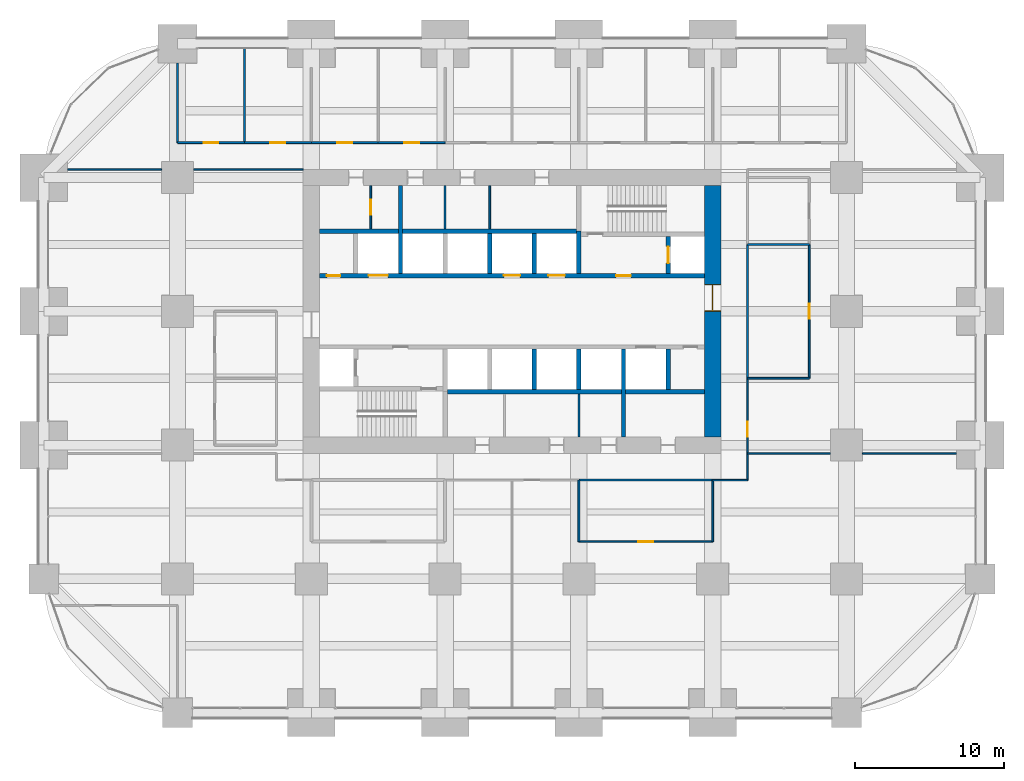
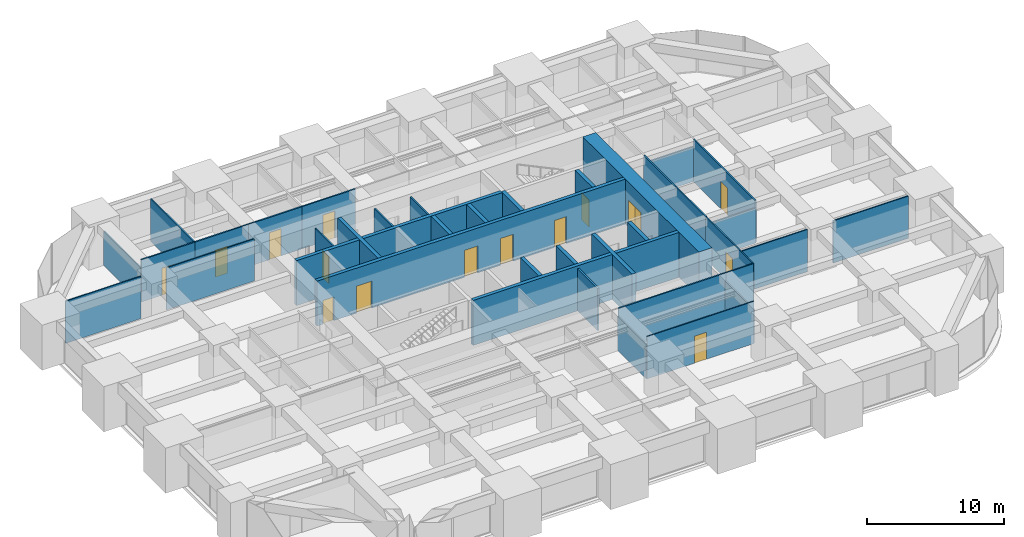
# One storey, part 38 of 41: 37 walls, 15 doors, 15 openings.
"""IFC4 building model written with IfcOpenShell, lengths in metres."""

from ifc_helpers import new_model, si_unit, direction, frame, frame_2d, origin, place, context, subcontext, project, spatial, rectangle, extrude, material, layer, layer_set, type_object, element, fill, save


model = new_model("IFC4")

# Units and contexts
model_context = context("Model", 3, precision=1e-05, world=origin(), true_north=direction((0.0, 1.0)))
body_context = subcontext(model_context, "Body", "Model", "MODEL_VIEW")
ifc_project = project(units=[si_unit("LENGTHUNIT", "METRE"), si_unit("AREAUNIT", "SQUARE_METRE"), si_unit("VOLUMEUNIT", "CUBIC_METRE"), si_unit("PLANEANGLEUNIT", "RADIAN"), si_unit("MASSUNIT", "GRAM", prefix="KILO")], contexts=[model_context])

# Site, building, storey
site_placement = place(None, origin())
site = spatial("IfcSite", under=ifc_project, at=site_placement, CompositionType="ELEMENT")
building_placement = place(site_placement, origin())
building = spatial("IfcBuilding", under=site, at=building_placement, Name="Zorevar Civic Tower", CompositionType="ELEMENT")
storey_placement = place(building_placement, frame((0.0, 0.0, 89.0)))
storey = spatial("IfcBuildingStorey", under=building, at=storey_placement, Name="L21", CompositionType="ELEMENT", Elevation=89.0)

# Wall, opening, door
ifc_material_1 = material(Name="Concrete C50/60", Category="concrete")
ifc_layer_1 = layer(ifc_material_1, 1.10009765625)
ifc_layer_set_1 = layer_set([ifc_layer_1], Name="Core wall 1100")
wall_type_1 = type_object("IfcWallType", Name="Core wall 1100", PredefinedType="SHEAR", material=ifc_layer_set_1)
wall_1_placement = place(storey_placement, frame((45.0, 18.550048828125, 0.0), z_axis=(0.0, 0.0, 1.0), x_axis=(0.0, 1.0, 0.0)))
wall_1 = element("IfcWall", 1, at=wall_1_placement, inside=storey, type_object=wall_type_1, Name="Core wall E L21", PredefinedType="SHEAR", context=body_context, shape_type="SweptSolid", body=[
    extrude(rectangle(XDim=16.89990234375, YDim=1.10009765625, at=frame_2d((8.449951171875, 0.0))), origin(), (0.0, 0.0, 1.0), 4.0),
])
opening_1_placement = place(wall_1_placement, frame((8.449951171875, 0.0, 0.0)))
opening_1 = element("IfcOpeningElement", 2, at=opening_1_placement, cuts=wall_1, Name="Opening L21.02", PredefinedType="OPENING", context=body_context, shape_type="SweptSolid", body=[
    extrude(rectangle(XDim=1.800048828125, YDim=2.39990234375, at=frame_2d((0.89990234375, 1.199951171875))), frame((0.0, 0.56005859375, 0.0), z_axis=(0.0, -1.0, 0.0), x_axis=(1.0, 0.0, 0.0)), (0.0, 0.0, 1.0), 1.1201171875),
])
ifc_material_2 = material(Name="Steel door set", Category="steel")
door_type_1 = type_object("IfcDoorType", Name="Fire door FD2 1800x2400", OperationType="DOUBLE_DOOR_DOUBLE_SWING", PredefinedType="DOOR", material=ifc_material_2)
door_1_placement = place(opening_1_placement, origin())
door_1 = element("IfcDoor", 3, at=door_1_placement, inside=storey, type_object=door_type_1, Name="Door L21 01", OperationType="DOUBLE_DOOR_DOUBLE_SWING", OverallHeight=2.39990234375, OverallWidth=1.800048828125, PredefinedType="DOOR", context=body_context, shape_type="SweptSolid", body=[
    extrude(rectangle(XDim=1.800048828125, YDim=2.39990234375, at=frame_2d((0.89990234375, 1.199951171875))), frame((0.0, 0.030029296875, 0.0), z_axis=(0.0, -1.0, 0.0), x_axis=(1.0, 0.0, 0.0)), (0.0, 0.0, 1.0), 0.06005859375),
    extrude(rectangle(XDim=0.04, YDim=2.39990234375, at=frame_2d((0.02001953125, 1.199951171875))), frame((0.0, 0.5498046875, 0.0), z_axis=(0.0, -1.0, 0.0), x_axis=(1.0, 0.0, 0.0)), (0.0, 0.0, 1.0), 1.099609375),
    extrude(rectangle(XDim=0.04, YDim=2.39990234375, at=frame_2d((1.780029296875, 1.199951171875))), frame((0.0, 0.5498046875, 0.0), z_axis=(0.0, -1.0, 0.0), x_axis=(1.0, 0.0, 0.0)), (0.0, 0.0, 1.0), 1.099609375),
    extrude(rectangle(XDim=1.800048828125, YDim=0.04, at=frame_2d((0.89990234375, 2.3798828125))), frame((0.0, 0.5498046875, 0.0), z_axis=(0.0, -1.0, 0.0), x_axis=(1.0, 0.0, 0.0)), (0.0, 0.0, 1.0), 1.099609375),
])
fill(opening_1, door_1)

ifc_material_3 = material(Name="Laminated glass in black aluminium frame", Category="aluminium")
ifc_layer_2 = layer(ifc_material_3, 0.10009765625)
ifc_layer_set_2 = layer_set([ifc_layer_2], Name="Glazed partition 100")
wall_type_2 = type_object("IfcWallType", Name="Glazed partition 100", PredefinedType="PARTITIONING", material=ifc_layer_set_2)
wall_2_placement = place(storey_placement, frame((36.0, 11.5, 0.0), z_axis=(0.0, 0.0, 1.0), x_axis=(1.0, 0.0, 0.0)))
wall_2 = element("IfcWall", 4, at=wall_2_placement, inside=storey, type_object=wall_type_2, Name="Glazed partition 100 L21", PredefinedType="PARTITIONING", context=body_context, shape_type="SweptSolid", body=[
    extrude(rectangle(XDim=9.0, YDim=0.10009765625, at=frame_2d((4.5, 0.0))), origin(), (0.0, 0.0, 1.0), 3.75),
])
opening_2_placement = place(wall_2_placement, frame((4.0, 0.0, 0.0)))
opening_2 = element("IfcOpeningElement", 5, at=opening_2_placement, cuts=wall_2, Name="Opening L21.19", PredefinedType="OPENING", context=body_context, shape_type="SweptSolid", body=[
    extrude(rectangle(XDim=1.0, YDim=2.39990234375, at=frame_2d((0.5, 1.199951171875))), frame((0.0, 0.06005859375, 0.0), z_axis=(0.0, -1.0, 0.0), x_axis=(1.0, 0.0, 0.0)), (0.0, 0.0, 1.0), 0.1201171875),
])
ifc_material_4 = material(Name="Timber door set", Category="wood")
door_type_2 = type_object("IfcDoorType", Name="Glazed door GD1 1000x2400", OperationType="SINGLE_SWING_LEFT", PredefinedType="DOOR", material=ifc_material_4)
door_2_placement = place(opening_2_placement, origin())
door_2 = element("IfcDoor", 6, at=door_2_placement, inside=storey, type_object=door_type_2, Name="Door L21 D1", OperationType="SINGLE_SWING_LEFT", OverallHeight=2.39990234375, OverallWidth=1.0, PredefinedType="DOOR", context=body_context, shape_type="SweptSolid", body=[
    extrude(rectangle(XDim=1.0, YDim=2.39990234375, at=frame_2d((0.5, 1.199951171875))), frame((0.0, 0.02001953125, 0.0), z_axis=(0.0, -1.0, 0.0), x_axis=(1.0, 0.0, 0.0)), (0.0, 0.0, 1.0), 0.0400390625),
])
fill(opening_2, door_2)

# Walls
wall_3_placement = place(storey_placement, frame((45.0, 15.64990234375, 0.0), z_axis=(0.0, 0.0, 1.0), x_axis=(1.0, 0.0, 0.0)))
element("IfcWall", 7, at=wall_3_placement, inside=storey, type_object=wall_type_2, Name="Glazed partition 100 L21", PredefinedType="PARTITIONING", context=body_context, shape_type="SweptSolid", body=[
    extrude(rectangle(XDim=2.35009765625, YDim=0.10009765625, at=frame_2d((1.175048828125, 0.0))), origin(), (0.0, 0.0, 1.0), 3.75),
])
wall_4_placement = place(storey_placement, frame((47.35009765625, 17.449951171875, 0.0), z_axis=(0.0, 0.0, 1.0), x_axis=(1.0, 0.0, 0.0)))
element("IfcWall", 8, at=wall_4_placement, inside=storey, type_object=wall_type_2, Name="Glazed partition 100 L21", PredefinedType="PARTITIONING", context=body_context, shape_type="SweptSolid", body=[
    extrude(rectangle(XDim=5.574951171875, YDim=0.10009765625, at=frame_2d((2.78759765625, 0.0))), origin(), (0.0, 0.0, 1.0), 3.75),
])
for number, where, z_axis, x_axis, name in (
    (9, (55.074951171875, 17.449951171875, 0.0), (0.0, 0.0, 1.0), (1.0, 0.0, 0.0), "Glazed partition 100 L21"),
    (10, (1.60009765625, 36.550048828125, 0.0), (0.0, 0.0, 1.0), (1.0, 0.0, 0.0), "Glazed partition 100 L21"),
):
    element("IfcWall", number, at=place(storey_placement, frame(where, z_axis=z_axis, x_axis=x_axis)), inside=storey, type_object=wall_type_2, Name=name, PredefinedType="PARTITIONING", context=body_context, shape_type="SweptSolid", body=[
        extrude(rectangle(XDim=6.324951171875, YDim=0.10009765625, at=frame_2d((3.16259765625, 0.0))), origin(), (0.0, 0.0, 1.0), 3.75),
    ])
wall_5_placement = place(storey_placement, frame((10.074951171875, 36.550048828125, 0.0), z_axis=(0.0, 0.0, 1.0), x_axis=(1.0, 0.0, 0.0)))
element("IfcWall", 11, at=wall_5_placement, inside=storey, type_object=wall_type_2, Name="Glazed partition 100 L21", PredefinedType="PARTITIONING", context=body_context, shape_type="SweptSolid", body=[
    extrude(rectangle(XDim=7.375, YDim=0.10009765625, at=frame_2d((3.6875, 0.0))), origin(), (0.0, 0.0, 1.0), 3.75),
])

# Wall, opening, door
wall_6_placement = place(storey_placement, frame((47.35009765625, 15.64990234375, 0.0), z_axis=(0.0, 0.0, 1.0), x_axis=(0.0, 1.0, 0.0)))
wall_6 = element("IfcWall", 12, at=wall_6_placement, inside=storey, type_object=wall_type_2, Name="Glazed partition 100 L21", PredefinedType="PARTITIONING", context=body_context, shape_type="SweptSolid", body=[
    extrude(rectangle(XDim=6.85009765625, YDim=0.10009765625, at=frame_2d((3.425048828125, 0.0))), origin(), (0.0, 0.0, 1.0), 3.75),
])
opening_3_placement = place(wall_6_placement, frame((2.925048828125, 0.0, 0.0)))
opening_3 = element("IfcOpeningElement", 13, at=opening_3_placement, cuts=wall_6, Name="Opening L21.34", PredefinedType="OPENING", context=body_context, shape_type="SweptSolid", body=[
    extrude(rectangle(XDim=1.0, YDim=2.39990234375, at=frame_2d((0.5, 1.199951171875))), frame((0.0, 0.06005859375, 0.0), z_axis=(0.0, -1.0, 0.0), x_axis=(1.0, 0.0, 0.0)), (0.0, 0.0, 1.0), 0.1201171875),
])
door_3_placement = place(opening_3_placement, origin())
door_3 = element("IfcDoor", 14, at=door_3_placement, inside=storey, type_object=door_type_2, Name="Door L21 D1", OperationType="SINGLE_SWING_LEFT", OverallHeight=2.39990234375, OverallWidth=1.0, PredefinedType="DOOR", context=body_context, shape_type="SweptSolid", body=[
    extrude(rectangle(XDim=1.0, YDim=2.39990234375, at=frame_2d((0.5, 1.199951171875))), frame((0.0, 0.02001953125, 0.0), z_axis=(0.0, -1.0, 0.0), x_axis=(1.0, 0.0, 0.0)), (0.0, 0.0, 1.0), 0.0400390625),
])
fill(opening_3, door_3)

ifc_material_5 = material(Name="Concrete C40/50", Category="concrete")
ifc_layer_3 = layer(ifc_material_5, 0.300048828125)
ifc_layer_set_3 = layer_set([ifc_layer_3], Name="Inner core wall 300")
wall_type_3 = type_object("IfcWallType", Name="Inner core wall 300", PredefinedType="SHEAR", material=ifc_layer_set_3)
wall_7_placement = place(storey_placement, frame((42.0, 29.550048828125, 0.0), z_axis=(0.0, 0.0, 1.0), x_axis=(0.0, 1.0, 0.0)))
wall_7 = element("IfcWall", 15, at=wall_7_placement, inside=storey, type_object=wall_type_3, Name="Inner core wall N02 L21", PredefinedType="SHEAR", context=body_context, shape_type="SweptSolid", body=[
    extrude(rectangle(XDim=2.5, YDim=0.300048828125, at=frame_2d((1.25, 0.0))), origin(), (0.0, 0.0, 1.0), 4.0),
])
opening_4_placement = place(wall_7_placement, frame((0.699951171875, 0.0, 0.0)))
opening_4 = element("IfcOpeningElement", 16, at=opening_4_placement, cuts=wall_7, Name="Opening L21.FL2", PredefinedType="OPENING", context=body_context, shape_type="SweptSolid", body=[
    extrude(rectangle(XDim=1.10009765625, YDim=2.39990234375, at=frame_2d((0.550048828125, 1.199951171875))), frame((0.0, 0.159912109375, 0.0), z_axis=(0.0, -1.0, 0.0), x_axis=(1.0, 0.0, 0.0)), (0.0, 0.0, 1.0), 0.320068359375),
])
ifc_material_6 = material(Name="Steel door set", Category="steel")
door_type_3 = type_object("IfcDoorType", Name="Firefighting lift landing door LD3 1100x2400", OperationType="DOUBLE_DOOR_SLIDING", PredefinedType="DOOR", material=ifc_material_6)
door_4_placement = place(opening_4_placement, origin())
door_4 = element("IfcDoor", 17, at=door_4_placement, inside=storey, type_object=door_type_3, Name="Landing door FL2 L21", OperationType="DOUBLE_DOOR_SLIDING", OverallHeight=2.39990234375, OverallWidth=1.10009765625, PredefinedType="DOOR", context=body_context, shape_type="SweptSolid", body=[
    extrude(rectangle(XDim=1.10009765625, YDim=2.39990234375, at=frame_2d((0.550048828125, 1.199951171875))), frame((0.0, 0.030029296875, 0.0), z_axis=(0.0, -1.0, 0.0), x_axis=(1.0, 0.0, 0.0)), (0.0, 0.0, 1.0), 0.06005859375),
])
fill(opening_4, door_4)

# Wall, openings, doors
wall_8_placement = place(storey_placement, frame((18.550048828125, 29.39990234375, 0.0), z_axis=(0.0, 0.0, 1.0), x_axis=(1.0, 0.0, 0.0)))
wall_8 = element("IfcWall", 18, at=wall_8_placement, inside=storey, type_object=wall_type_3, Name="Inner core wall N03 L21", PredefinedType="SHEAR", context=body_context, shape_type="SweptSolid", body=[
    extrude(rectangle(XDim=25.89990234375, YDim=0.300048828125, at=frame_2d((12.949951171875, 0.0))), origin(), (0.0, 0.0, 1.0), 4.0),
])
opening_5_placement = place(wall_8_placement, frame((19.949951171875, 0.0, 0.0)))
opening_5 = element("IfcOpeningElement", 19, at=opening_5_placement, cuts=wall_8, Name="Opening L21.14", PredefinedType="OPENING", context=body_context, shape_type="SweptSolid", body=[
    extrude(rectangle(XDim=1.0, YDim=2.39990234375, at=frame_2d((0.5, 1.199951171875))), frame((0.0, 0.159912109375, 0.0), z_axis=(0.0, -1.0, 0.0), x_axis=(1.0, 0.0, 0.0)), (0.0, 0.0, 1.0), 0.320068359375),
])
opening_6_placement = place(wall_8_placement, frame((0.5, 0.0, 0.0)))
opening_6 = element("IfcOpeningElement", 20, at=opening_6_placement, cuts=wall_8, Name="Opening L21.16", PredefinedType="OPENING", context=body_context, shape_type="SweptSolid", body=[
    extrude(rectangle(XDim=0.89990234375, YDim=2.10009765625, at=frame_2d((0.449951171875, 1.050048828125))), frame((0.0, 0.159912109375, 0.0), z_axis=(0.0, -1.0, 0.0), x_axis=(1.0, 0.0, 0.0)), (0.0, 0.0, 1.0), 0.320068359375),
])
opening_7_placement = place(wall_8_placement, frame((15.39990234375, 0.0, 0.0)))
opening_7 = element("IfcOpeningElement", 21, at=opening_7_placement, cuts=wall_8, Name="Opening L21.LM1", PredefinedType="OPENING", context=body_context, shape_type="SweptSolid", body=[
    extrude(rectangle(XDim=1.10009765625, YDim=2.39990234375, at=frame_2d((0.550048828125, 1.199951171875))), frame((0.0, 0.159912109375, 0.0), z_axis=(0.0, -1.0, 0.0), x_axis=(1.0, 0.0, 0.0)), (0.0, 0.0, 1.0), 0.320068359375),
])
opening_8_placement = place(wall_8_placement, frame((12.39990234375, 0.0, 0.0)))
opening_8 = element("IfcOpeningElement", 22, at=opening_8_placement, cuts=wall_8, Name="Opening L21.LM2", PredefinedType="OPENING", context=body_context, shape_type="SweptSolid", body=[
    extrude(rectangle(XDim=1.10009765625, YDim=2.39990234375, at=frame_2d((0.550048828125, 1.199951171875))), frame((0.0, 0.159912109375, 0.0), z_axis=(0.0, -1.0, 0.0), x_axis=(1.0, 0.0, 0.0)), (0.0, 0.0, 1.0), 0.320068359375),
])
opening_9_placement = place(wall_8_placement, frame((3.300048828125, 0.0, 0.0)))
opening_9 = element("IfcOpeningElement", 23, at=opening_9_placement, cuts=wall_8, Name="Opening L21.SL2", PredefinedType="OPENING", context=body_context, shape_type="SweptSolid", body=[
    extrude(rectangle(XDim=1.300048828125, YDim=2.39990234375, at=frame_2d((0.64990234375, 1.199951171875))), frame((0.0, 0.159912109375, 0.0), z_axis=(0.0, -1.0, 0.0), x_axis=(1.0, 0.0, 0.0)), (0.0, 0.0, 1.0), 0.320068359375),
])
ifc_material_7 = material(Name="Steel door set", Category="steel")
door_type_4 = type_object("IfcDoorType", Name="Fire door FD1 1000x2400", OperationType="SINGLE_SWING_LEFT", PredefinedType="DOOR", material=ifc_material_7)
door_5_placement = place(opening_5_placement, origin())
door_5 = element("IfcDoor", 24, at=door_5_placement, inside=storey, type_object=door_type_4, Name="Door L21 13", OperationType="SINGLE_SWING_RIGHT", OverallHeight=2.39990234375, OverallWidth=1.0, PredefinedType="DOOR", context=body_context, shape_type="SweptSolid", body=[
    extrude(rectangle(XDim=1.0, YDim=2.39990234375, at=frame_2d((0.5, 1.199951171875))), frame((0.0, 0.030029296875, 0.0), z_axis=(0.0, -1.0, 0.0), x_axis=(1.0, 0.0, 0.0)), (0.0, 0.0, 1.0), 0.06005859375),
])
fill(opening_5, door_5)
ifc_material_8 = material(Name="Steel door set", Category="steel")
door_type_5 = type_object("IfcDoorType", Name="Landing door LD1 1100x2400", OperationType="DOUBLE_DOOR_SLIDING", PredefinedType="DOOR", material=ifc_material_8)
door_6_placement = place(opening_7_placement, origin())
door_6 = element("IfcDoor", 25, at=door_6_placement, inside=storey, type_object=door_type_5, Name="Landing door LM1 L21", OperationType="DOUBLE_DOOR_SLIDING", OverallHeight=2.39990234375, OverallWidth=1.10009765625, PredefinedType="DOOR", context=body_context, shape_type="SweptSolid", body=[
    extrude(rectangle(XDim=1.10009765625, YDim=2.39990234375, at=frame_2d((0.550048828125, 1.199951171875))), frame((0.0, 0.02001953125, 0.0), z_axis=(0.0, -1.0, 0.0), x_axis=(1.0, 0.0, 0.0)), (0.0, 0.0, 1.0), 0.0400390625),
])
fill(opening_7, door_6)
door_7_placement = place(opening_8_placement, origin())
door_7 = element("IfcDoor", 26, at=door_7_placement, inside=storey, type_object=door_type_5, Name="Landing door LM2 L21", OperationType="DOUBLE_DOOR_SLIDING", OverallHeight=2.39990234375, OverallWidth=1.10009765625, PredefinedType="DOOR", context=body_context, shape_type="SweptSolid", body=[
    extrude(rectangle(XDim=1.10009765625, YDim=2.39990234375, at=frame_2d((0.550048828125, 1.199951171875))), frame((0.0, 0.02001953125, 0.0), z_axis=(0.0, -1.0, 0.0), x_axis=(1.0, 0.0, 0.0)), (0.0, 0.0, 1.0), 0.0400390625),
])
fill(opening_8, door_7)
ifc_material_9 = material(Name="Steel door set", Category="steel")
door_type_6 = type_object("IfcDoorType", Name="Landing door LD2 1300x2400", OperationType="DOUBLE_DOOR_SLIDING", PredefinedType="DOOR", material=ifc_material_9)
door_8_placement = place(opening_9_placement, origin())
door_8 = element("IfcDoor", 27, at=door_8_placement, inside=storey, type_object=door_type_6, Name="Landing door SL2 L21", OperationType="DOUBLE_DOOR_SLIDING", OverallHeight=2.39990234375, OverallWidth=1.300048828125, PredefinedType="DOOR", context=body_context, shape_type="SweptSolid", body=[
    extrude(rectangle(XDim=1.300048828125, YDim=2.39990234375, at=frame_2d((0.64990234375, 1.199951171875))), frame((0.0, 0.02001953125, 0.0), z_axis=(0.0, -1.0, 0.0), x_axis=(1.0, 0.0, 0.0)), (0.0, 0.0, 1.0), 0.0400390625),
])
fill(opening_9, door_8)
ifc_material_10 = material(Name="Steel door set", Category="steel")
door_type_7 = type_object("IfcDoorType", Name="Riser door RD1 900x2100", OperationType="SINGLE_SWING_LEFT", PredefinedType="DOOR", material=ifc_material_10)
door_9_placement = place(opening_6_placement, origin())
door_9 = element("IfcDoor", 28, at=door_9_placement, inside=storey, type_object=door_type_7, Name="Door L21 15", OperationType="SINGLE_SWING_RIGHT", OverallHeight=2.10009765625, OverallWidth=0.89990234375, PredefinedType="DOOR", context=body_context, shape_type="SweptSolid", body=[
    extrude(rectangle(XDim=0.89990234375, YDim=2.10009765625, at=frame_2d((0.449951171875, 1.050048828125))), frame((0.0, 0.030029296875, 0.0), z_axis=(0.0, -1.0, 0.0), x_axis=(1.0, 0.0, 0.0)), (0.0, 0.0, 1.0), 0.06005859375),
])
fill(opening_6, door_9)

# Walls
for number, where, z_axis, x_axis, name in (
    (29, (27.14990234375, 21.60009765625, 0.0), (0.0, 0.0, 1.0), (1.0, 0.0, 0.0), "Inner core wall S04 L21"),
    (30, (18.550048828125, 32.39990234375, 0.0), (0.0, 0.0, 1.0), (1.0, 0.0, 0.0), "Inner core wall N04 L21"),
):
    element("IfcWall", number, at=place(storey_placement, frame(where, z_axis=z_axis, x_axis=x_axis)), inside=storey, type_object=wall_type_3, Name=name, PredefinedType="SHEAR", context=body_context, shape_type="SweptSolid", body=[
        extrude(rectangle(XDim=17.300048828125, YDim=0.300048828125, at=frame_2d((8.64990234375, 0.0))), origin(), (0.0, 0.0, 1.0), 4.0),
    ])
for number, where, z_axis, x_axis, name in (
    (31, (33.0, 29.550048828125, 0.0), (0.0, 0.0, 1.0), (0.0, 1.0, 0.0), "Inner core wall N05 L21"),
    (32, (33.0, 21.75, 0.0), (0.0, 0.0, 1.0), (0.0, 1.0, 0.0), "Inner core wall S06 L21"),
    (33, (30.0, 29.550048828125, 0.0), (0.0, 0.0, 1.0), (0.0, 1.0, 0.0), "Inner core wall N06 L21"),
    (34, (36.0, 21.75, 0.0), (0.0, 0.0, 1.0), (0.0, 1.0, 0.0), "Inner core wall S07 L21"),
):
    element("IfcWall", number, at=place(storey_placement, frame(where, z_axis=z_axis, x_axis=x_axis)), inside=storey, type_object=wall_type_3, Name=name, PredefinedType="SHEAR", context=body_context, shape_type="SweptSolid", body=[
        extrude(rectangle(XDim=2.699951171875, YDim=0.300048828125, at=frame_2d((1.35009765625, 0.0))), origin(), (0.0, 0.0, 1.0), 4.0),
    ])
for number, where, z_axis, x_axis, name in (
    (35, (39.0, 18.550048828125, 0.0), (0.0, 0.0, 1.0), (0.0, 1.0, 0.0), "Inner core wall S08 L21"),
    (36, (24.0, 29.550048828125, 0.0), (0.0, 0.0, 1.0), (0.0, 1.0, 0.0), "Inner core wall N08 L21"),
):
    element("IfcWall", number, at=place(storey_placement, frame(where, z_axis=z_axis, x_axis=x_axis)), inside=storey, type_object=wall_type_3, Name=name, PredefinedType="SHEAR", context=body_context, shape_type="SweptSolid", body=[
        extrude(rectangle(XDim=5.89990234375, YDim=0.300048828125, at=frame_2d((2.949951171875, 0.0))), origin(), (0.0, 0.0, 1.0), 4.0),
    ])
wall_9_placement = place(storey_placement, frame((42.0, 21.75, 0.0), z_axis=(0.0, 0.0, 1.0), x_axis=(0.0, 1.0, 0.0)))
element("IfcWall", 37, at=wall_9_placement, inside=storey, type_object=wall_type_3, Name="Inner core wall S09 L21", PredefinedType="SHEAR", context=body_context, shape_type="SweptSolid", body=[
    extrude(rectangle(XDim=2.699951171875, YDim=0.300048828125, at=frame_2d((1.35009765625, 0.0))), origin(), (0.0, 0.0, 1.0), 4.0),
])
wall_10_placement = place(storey_placement, frame((36.0, 29.550048828125, 0.0), z_axis=(0.0, 0.0, 1.0), x_axis=(0.0, 1.0, 0.0)))
element("IfcWall", 38, at=wall_10_placement, inside=storey, type_object=wall_type_3, Name="Inner core wall N10 L21", PredefinedType="SHEAR", context=body_context, shape_type="SweptSolid", body=[
    extrude(rectangle(XDim=2.849853515625, YDim=0.300048828125, at=frame_2d((1.4248046875, 0.0))), origin(), (0.0, 0.0, 1.0), 4.0),
])
ifc_material_11 = material(Name="Gypsum board on steel studs", Category="steel")
ifc_layer_4 = layer(ifc_material_11, 0.1201171875)
ifc_layer_set_4 = layer_set([ifc_layer_4], Name="Partition 120")
wall_type_4 = type_object("IfcWallType", Name="Partition 120", PredefinedType="PARTITIONING", material=ifc_layer_set_4)
wall_11_placement = place(storey_placement, frame((36.0, 15.64990234375, 0.0), z_axis=(0.0, 0.0, 1.0), x_axis=(1.0, 0.0, 0.0)))
element("IfcWall", 39, at=wall_11_placement, inside=storey, type_object=wall_type_4, Name="Partition 120 L21", PredefinedType="PARTITIONING", context=body_context, shape_type="SweptSolid", body=[
    extrude(rectangle(XDim=9.0, YDim=0.1201171875, at=frame_2d((4.5, 0.0))), origin(), (0.0, 0.0, 1.0), 3.75),
])
for number, where, z_axis, x_axis, name in (
    (40, (47.35009765625, 22.5, 0.0), (0.0, 0.0, 1.0), (1.0, 0.0, 0.0), "Partition 120 L21"),
    (41, (47.35009765625, 31.5, 0.0), (0.0, 0.0, 1.0), (1.0, 0.0, 0.0), "Partition 120 L21"),
):
    element("IfcWall", number, at=place(storey_placement, frame(where, z_axis=z_axis, x_axis=x_axis)), inside=storey, type_object=wall_type_4, Name=name, PredefinedType="PARTITIONING", context=body_context, shape_type="SweptSolid", body=[
        extrude(rectangle(XDim=4.14990234375, YDim=0.1201171875, at=frame_2d((2.074951171875, 0.0))), origin(), (0.0, 0.0, 1.0), 3.10009765625),
    ])

# Wall, opening, door
wall_12_placement = place(storey_placement, frame((9.0, 38.35009765625, 0.0), z_axis=(0.0, 0.0, 1.0), x_axis=(1.0, 0.0, 0.0)))
wall_12 = element("IfcWall", 42, at=wall_12_placement, inside=storey, type_object=wall_type_4, Name="Partition 120 L21", PredefinedType="PARTITIONING", context=body_context, shape_type="SweptSolid", body=[
    extrude(rectangle(XDim=4.5, YDim=0.1201171875, at=frame_2d((2.25, 0.0))), origin(), (0.0, 0.0, 1.0), 3.75),
])
opening_10_placement = place(wall_12_placement, frame((1.75, 0.0, 0.0)))
opening_10 = element("IfcOpeningElement", 43, at=opening_10_placement, cuts=wall_12, Name="Opening L21.22", PredefinedType="OPENING", context=body_context, shape_type="SweptSolid", body=[
    extrude(rectangle(XDim=1.0, YDim=2.39990234375, at=frame_2d((0.5, 1.199951171875))), frame((0.0, 0.070068359375, 0.0), z_axis=(0.0, -1.0, 0.0), x_axis=(1.0, 0.0, 0.0)), (0.0, 0.0, 1.0), 0.14013671875),
])
ifc_material_12 = material(Name="Timber door set", Category="wood")
door_type_8 = type_object("IfcDoorType", Name="Door D1 1000x2400", OperationType="SINGLE_SWING_LEFT", PredefinedType="DOOR", material=ifc_material_12)
door_10_placement = place(opening_10_placement, origin())
door_10 = element("IfcDoor", 44, at=door_10_placement, inside=storey, type_object=door_type_8, Name="Door L21 D1", OperationType="SINGLE_SWING_LEFT", OverallHeight=2.39990234375, OverallWidth=1.0, PredefinedType="DOOR", context=body_context, shape_type="SweptSolid", body=[
    extrude(rectangle(XDim=1.0, YDim=2.39990234375, at=frame_2d((0.5, 1.199951171875))), frame((0.0, 0.02490234375, 0.0), z_axis=(0.0, -1.0, 0.0), x_axis=(1.0, 0.0, 0.0)), (0.0, 0.0, 1.0), 0.050048828125),
])
fill(opening_10, door_10)

wall_13_placement = place(storey_placement, frame((13.5, 38.35009765625, 0.0), z_axis=(0.0, 0.0, 1.0), x_axis=(1.0, 0.0, 0.0)))
wall_13 = element("IfcWall", 45, at=wall_13_placement, inside=storey, type_object=wall_type_4, Name="Partition 120 L21", PredefinedType="PARTITIONING", context=body_context, shape_type="SweptSolid", body=[
    extrude(rectangle(XDim=4.5, YDim=0.1201171875, at=frame_2d((2.25, 0.0))), origin(), (0.0, 0.0, 1.0), 3.75),
])
opening_11_placement = place(wall_13_placement, frame((1.75, 0.0, 0.0)))
opening_11 = element("IfcOpeningElement", 46, at=opening_11_placement, cuts=wall_13, Name="Opening L21.23", PredefinedType="OPENING", context=body_context, shape_type="SweptSolid", body=[
    extrude(rectangle(XDim=1.0, YDim=2.39990234375, at=frame_2d((0.5, 1.199951171875))), frame((0.0, 0.070068359375, 0.0), z_axis=(0.0, -1.0, 0.0), x_axis=(1.0, 0.0, 0.0)), (0.0, 0.0, 1.0), 0.14013671875),
])
door_11_placement = place(opening_11_placement, origin())
door_11 = element("IfcDoor", 47, at=door_11_placement, inside=storey, type_object=door_type_8, Name="Door L21 D1", OperationType="SINGLE_SWING_LEFT", OverallHeight=2.39990234375, OverallWidth=1.0, PredefinedType="DOOR", context=body_context, shape_type="SweptSolid", body=[
    extrude(rectangle(XDim=1.0, YDim=2.39990234375, at=frame_2d((0.5, 1.199951171875))), frame((0.0, 0.02490234375, 0.0), z_axis=(0.0, -1.0, 0.0), x_axis=(1.0, 0.0, 0.0)), (0.0, 0.0, 1.0), 0.050048828125),
])
fill(opening_11, door_11)

wall_14_placement = place(storey_placement, frame((18.0, 38.35009765625, 0.0), z_axis=(0.0, 0.0, 1.0), x_axis=(1.0, 0.0, 0.0)))
wall_14 = element("IfcWall", 48, at=wall_14_placement, inside=storey, type_object=wall_type_4, Name="Partition 120 L21", PredefinedType="PARTITIONING", context=body_context, shape_type="SweptSolid", body=[
    extrude(rectangle(XDim=4.5, YDim=0.1201171875, at=frame_2d((2.25, 0.0))), origin(), (0.0, 0.0, 1.0), 3.75),
])
opening_12_placement = place(wall_14_placement, frame((1.75, 0.0, 0.0)))
opening_12 = element("IfcOpeningElement", 49, at=opening_12_placement, cuts=wall_14, Name="Opening L21.24", PredefinedType="OPENING", context=body_context, shape_type="SweptSolid", body=[
    extrude(rectangle(XDim=1.0, YDim=2.39990234375, at=frame_2d((0.5, 1.199951171875))), frame((0.0, 0.070068359375, 0.0), z_axis=(0.0, -1.0, 0.0), x_axis=(1.0, 0.0, 0.0)), (0.0, 0.0, 1.0), 0.14013671875),
])
door_12_placement = place(opening_12_placement, origin())
door_12 = element("IfcDoor", 50, at=door_12_placement, inside=storey, type_object=door_type_8, Name="Door L21 D1", OperationType="SINGLE_SWING_LEFT", OverallHeight=2.39990234375, OverallWidth=1.0, PredefinedType="DOOR", context=body_context, shape_type="SweptSolid", body=[
    extrude(rectangle(XDim=1.0, YDim=2.39990234375, at=frame_2d((0.5, 1.199951171875))), frame((0.0, 0.02490234375, 0.0), z_axis=(0.0, -1.0, 0.0), x_axis=(1.0, 0.0, 0.0)), (0.0, 0.0, 1.0), 0.050048828125),
])
fill(opening_12, door_12)

wall_15_placement = place(storey_placement, frame((22.5, 38.35009765625, 0.0), z_axis=(0.0, 0.0, 1.0), x_axis=(1.0, 0.0, 0.0)))
wall_15 = element("IfcWall", 51, at=wall_15_placement, inside=storey, type_object=wall_type_4, Name="Partition 120 L21", PredefinedType="PARTITIONING", context=body_context, shape_type="SweptSolid", body=[
    extrude(rectangle(XDim=4.5, YDim=0.1201171875, at=frame_2d((2.25, 0.0))), origin(), (0.0, 0.0, 1.0), 3.75),
])
opening_13_placement = place(wall_15_placement, frame((1.75, 0.0, 0.0)))
opening_13 = element("IfcOpeningElement", 52, at=opening_13_placement, cuts=wall_15, Name="Opening L21.25", PredefinedType="OPENING", context=body_context, shape_type="SweptSolid", body=[
    extrude(rectangle(XDim=1.0, YDim=2.39990234375, at=frame_2d((0.5, 1.199951171875))), frame((0.0, 0.070068359375, 0.0), z_axis=(0.0, -1.0, 0.0), x_axis=(1.0, 0.0, 0.0)), (0.0, 0.0, 1.0), 0.14013671875),
])
door_13_placement = place(opening_13_placement, origin())
door_13 = element("IfcDoor", 53, at=door_13_placement, inside=storey, type_object=door_type_8, Name="Door L21 D1", OperationType="SINGLE_SWING_LEFT", OverallHeight=2.39990234375, OverallWidth=1.0, PredefinedType="DOOR", context=body_context, shape_type="SweptSolid", body=[
    extrude(rectangle(XDim=1.0, YDim=2.39990234375, at=frame_2d((0.5, 1.199951171875))), frame((0.0, 0.02490234375, 0.0), z_axis=(0.0, -1.0, 0.0), x_axis=(1.0, 0.0, 0.0)), (0.0, 0.0, 1.0), 0.050048828125),
])
fill(opening_13, door_13)

# Walls
wall_16_placement = place(storey_placement, frame((9.0, 38.35009765625, 0.0), z_axis=(0.0, 0.0, 1.0), x_axis=(0.0, 1.0, 0.0)))
element("IfcWall", 54, at=wall_16_placement, inside=storey, type_object=wall_type_4, Name="Partition 120 L21", PredefinedType="PARTITIONING", context=body_context, shape_type="SweptSolid", body=[
    extrude(rectangle(XDim=5.349853515625, YDim=0.1201171875, at=frame_2d((2.6748046875, 0.0))), origin(), (0.0, 0.0, 1.0), 3.050048828125),
])
wall_17_placement = place(storey_placement, frame((13.5, 38.35009765625, 0.0), z_axis=(0.0, 0.0, 1.0), x_axis=(0.0, 1.0, 0.0)))
element("IfcWall", 55, at=wall_17_placement, inside=storey, type_object=wall_type_4, Name="Partition 120 L21", PredefinedType="PARTITIONING", context=body_context, shape_type="SweptSolid", body=[
    extrude(rectangle(XDim=6.33984375, YDim=0.1201171875, at=frame_2d((3.169921875, 0.0))), origin(), (0.0, 0.0, 1.0), 3.75),
])
for number, where, z_axis, x_axis, name in (
    (56, (36.0, 11.5, 0.0), (0.0, 0.0, 1.0), (0.0, 1.0, 0.0), "Partition 120 L21"),
    (57, (45.0, 11.5, 0.0), (0.0, 0.0, 1.0), (0.0, 1.0, 0.0), "Partition 120 L21"),
):
    element("IfcWall", number, at=place(storey_placement, frame(where, z_axis=z_axis, x_axis=x_axis)), inside=storey, type_object=wall_type_4, Name=name, PredefinedType="PARTITIONING", context=body_context, shape_type="SweptSolid", body=[
        extrude(rectangle(XDim=4.14990234375, YDim=0.1201171875, at=frame_2d((2.074951171875, 0.0))), origin(), (0.0, 0.0, 1.0), 3.050048828125),
    ])
wall_18_placement = place(storey_placement, frame((47.35009765625, 22.5, 0.0), z_axis=(0.0, 0.0, 1.0), x_axis=(0.0, 1.0, 0.0)))
element("IfcWall", 58, at=wall_18_placement, inside=storey, type_object=wall_type_4, Name="Partition 120 L21", PredefinedType="PARTITIONING", context=body_context, shape_type="SweptSolid", body=[
    extrude(rectangle(XDim=9.0, YDim=0.1201171875, at=frame_2d((4.5, 0.0))), origin(), (0.0, 0.0, 1.0), 3.75),
])

# Wall, opening, door
wall_19_placement = place(storey_placement, frame((51.5, 22.5, 0.0), z_axis=(0.0, 0.0, 1.0), x_axis=(0.0, 1.0, 0.0)))
wall_19 = element("IfcWall", 59, at=wall_19_placement, inside=storey, type_object=wall_type_4, Name="Partition 120 L21", PredefinedType="PARTITIONING", context=body_context, shape_type="SweptSolid", body=[
    extrude(rectangle(XDim=9.0, YDim=0.1201171875, at=frame_2d((4.5, 0.0))), origin(), (0.0, 0.0, 1.0), 3.75),
])
opening_14_placement = place(wall_19_placement, frame((4.0, 0.0, 0.0)))
opening_14 = element("IfcOpeningElement", 60, at=opening_14_placement, cuts=wall_19, Name="Opening L21.36", PredefinedType="OPENING", context=body_context, shape_type="SweptSolid", body=[
    extrude(rectangle(XDim=1.0, YDim=2.39990234375, at=frame_2d((0.5, 1.199951171875))), frame((0.0, 0.070068359375, 0.0), z_axis=(0.0, -1.0, 0.0), x_axis=(1.0, 0.0, 0.0)), (0.0, 0.0, 1.0), 0.14013671875),
])
door_14_placement = place(opening_14_placement, origin())
door_14 = element("IfcDoor", 61, at=door_14_placement, inside=storey, type_object=door_type_8, Name="Door L21 D1", OperationType="SINGLE_SWING_RIGHT", OverallHeight=2.39990234375, OverallWidth=1.0, PredefinedType="DOOR", context=body_context, shape_type="SweptSolid", body=[
    extrude(rectangle(XDim=1.0, YDim=2.39990234375, at=frame_2d((0.5, 1.199951171875))), frame((0.0, 0.02490234375, 0.0), z_axis=(0.0, -1.0, 0.0), x_axis=(1.0, 0.0, 0.0)), (0.0, 0.0, 1.0), 0.050048828125),
])
fill(opening_14, door_14)

# Wall
wall_20_placement = place(storey_placement, frame((30.0, 32.550048828125, 0.0), z_axis=(0.0, 0.0, 1.0), x_axis=(0.0, 1.0, 0.0)))
element("IfcWall", 62, at=wall_20_placement, inside=storey, type_object=wall_type_4, Name="Partition L21", PredefinedType="PARTITIONING", context=body_context, shape_type="SweptSolid", body=[
    extrude(rectangle(XDim=2.89990234375, YDim=0.1201171875, at=frame_2d((1.449951171875, 0.0))), origin(), (0.0, 0.0, 1.0), 3.75),
])

# Wall, opening, door
wall_21_placement = place(storey_placement, frame((22.0, 32.550048828125, 0.0), z_axis=(0.0, 0.0, 1.0), x_axis=(0.0, 1.0, 0.0)))
wall_21 = element("IfcWall", 63, at=wall_21_placement, inside=storey, type_object=wall_type_4, Name="Partition L21", PredefinedType="PARTITIONING", context=body_context, shape_type="SweptSolid", body=[
    extrude(rectangle(XDim=2.89990234375, YDim=0.1201171875, at=frame_2d((1.449951171875, 0.0))), origin(), (0.0, 0.0, 1.0), 3.75),
])
opening_15_placement = place(wall_21_placement, frame((0.949951171875, 0.0, 0.0)))
opening_15 = element("IfcOpeningElement", 64, at=opening_15_placement, cuts=wall_21, Name="Opening L21.37", PredefinedType="OPENING", context=body_context, shape_type="SweptSolid", body=[
    extrude(rectangle(XDim=1.0, YDim=2.39990234375, at=frame_2d((0.5, 1.199951171875))), frame((0.0, 0.070068359375, 0.0), z_axis=(0.0, -1.0, 0.0), x_axis=(1.0, 0.0, 0.0)), (0.0, 0.0, 1.0), 0.14013671875),
])
door_15_placement = place(opening_15_placement, origin())
door_15 = element("IfcDoor", 65, at=door_15_placement, inside=storey, type_object=door_type_4, Name="Door L21 EN", OperationType="SINGLE_SWING_RIGHT", OverallHeight=2.39990234375, OverallWidth=1.0, PredefinedType="DOOR", context=body_context, shape_type="SweptSolid", body=[
    extrude(rectangle(XDim=1.0, YDim=2.39990234375, at=frame_2d((0.5, 1.199951171875))), frame((0.0, 0.030029296875, 0.0), z_axis=(0.0, -1.0, 0.0), x_axis=(1.0, 0.0, 0.0)), (0.0, 0.0, 1.0), 0.06005859375),
])
fill(opening_15, door_15)

# Walls
ifc_material_13 = material(Name="Gypsum board on steel studs, moisture resistant", Category="steel")
ifc_layer_5 = layer(ifc_material_13, 0.14990234375)
ifc_layer_set_5 = layer_set([ifc_layer_5], Name="WC partition 150")
wall_type_5 = type_object("IfcWallType", Name="WC partition 150", PredefinedType="PARTITIONING", material=ifc_layer_set_5)
for number, where, z_axis, x_axis, name in (
    (66, (36.0, 18.550048828125, 0.0), (0.0, 0.0, 1.0), (0.0, 1.0, 0.0), "WC partition L21"),
    (67, (27.0, 32.550048828125, 0.0), (0.0, 0.0, 1.0), (0.0, 1.0, 0.0), "WC partition L21"),
):
    element("IfcWall", number, at=place(storey_placement, frame(where, z_axis=z_axis, x_axis=x_axis)), inside=storey, type_object=wall_type_5, Name=name, PredefinedType="PARTITIONING", context=body_context, shape_type="SweptSolid", body=[
        extrude(rectangle(XDim=2.89990234375, YDim=0.14990234375, at=frame_2d((1.449951171875, 0.0))), origin(), (0.0, 0.0, 1.0), 3.75),
    ])

save(model, "model.ifc")
